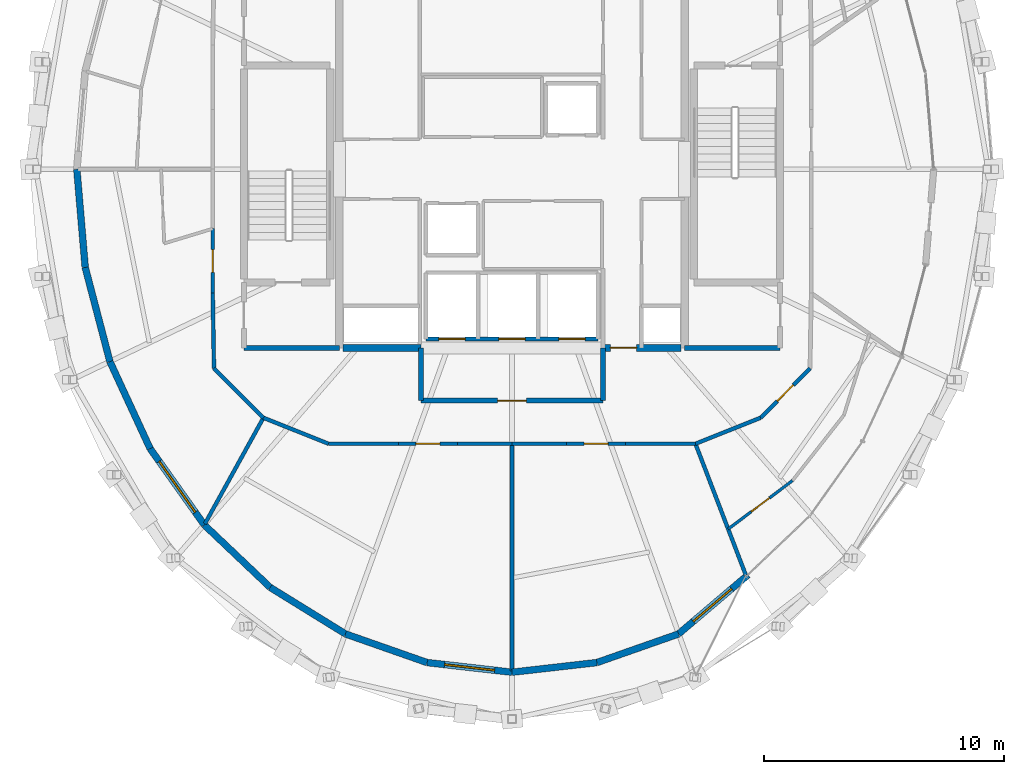
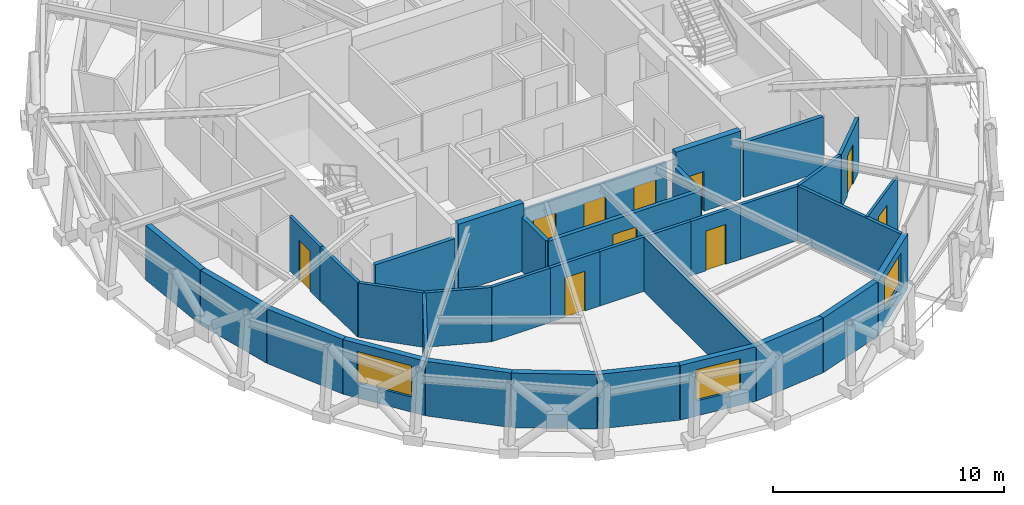
# One storey, part 12 of 17: 35 walls, 10 doors, 3 windows, 13 openings.
"""IFC4 building model written with IfcOpenShell, lengths in metres."""

from ifc_helpers import new_model, si_unit, direction, frame, frame_2d, origin, place, context, subcontext, project, spatial, rectangle, extrude, material, layer, layer_set, type_object, element, fill, save


model = new_model("IFC4")

# Units and contexts
model_context = context("Model", 3, precision=1e-05, world=origin(), true_north=direction((0.0, 1.0)))
body_context = subcontext(model_context, "Body", "Model", "MODEL_VIEW")
ifc_project = project(units=[si_unit("LENGTHUNIT", "METRE"), si_unit("AREAUNIT", "SQUARE_METRE"), si_unit("VOLUMEUNIT", "CUBIC_METRE"), si_unit("PLANEANGLEUNIT", "RADIAN"), si_unit("MASSUNIT", "GRAM", prefix="KILO")], contexts=[model_context])

# Site, building, storey
site_placement = place(None, origin())
site = spatial("IfcSite", under=ifc_project, at=site_placement, CompositionType="ELEMENT")
building_placement = place(site_placement, origin())
building = spatial("IfcBuilding", under=site, at=building_placement, Name="Veldorina Hangang Commons", CompositionType="ELEMENT")
storey_placement = place(building_placement, frame((0.0, 0.0, 286.800048828125)))
storey = spatial("IfcBuildingStorey", under=building, at=storey_placement, Name="L75", CompositionType="ELEMENT", Elevation=286.800048828125)

# Wall
ifc_material_1 = material(Name="Concrete C50/60", Category="concrete")
ifc_layer_1 = layer(ifc_material_1, 0.300048828125)
ifc_layer_set_1 = layer_set([ifc_layer_1], Name="Concrete C50/60")
wall_type_1 = type_object("IfcWallType", Name="CW-RC300-C50", PredefinedType="SHEAR", material=ifc_layer_set_1)
wall_1_placement = place(storey_placement, frame((24.949951171875, 16.550048828125, 0.0), z_axis=(0.0, 0.0, 1.0), x_axis=(1.0, 0.0, 0.0)))
element("IfcWall", 1, at=wall_1_placement, inside=storey, type_object=wall_type_1, Name="L75 south-west core shear wall", PredefinedType="SHEAR", context=body_context, shape_type="SweptSolid", body=[
    extrude(rectangle(XDim=3.25, YDim=0.300048828125, at=frame_2d((1.625, 0.0))), origin(), (0.0, 0.0, 1.0), 3.599853515625),
])

# Wall, opening, door
wall_2_placement = place(storey_placement, frame((35.800048828125, 16.550048828125, 0.0), z_axis=(0.0, 0.0, 1.0), x_axis=(1.0, 0.0, 0.0)))
wall_2 = element("IfcWall", 2, at=wall_2_placement, inside=storey, type_object=wall_type_1, Name="L75 south-east core shear wall", PredefinedType="SHEAR", context=body_context, shape_type="SweptSolid", body=[
    extrude(rectangle(XDim=3.25, YDim=0.300048828125, at=frame_2d((1.625, 0.0))), origin(), (0.0, 0.0, 1.0), 3.599853515625),
])
opening_1_placement = place(wall_2_placement, frame((0.300048828125, 0.0, 0.0)))
opening_1 = element("IfcOpeningElement", 3, at=opening_1_placement, cuts=wall_2, Name="Opening D-08", PredefinedType="OPENING", context=body_context, shape_type="SweptSolid", body=[
    extrude(rectangle(XDim=1.10009765625, YDim=2.10009765625, at=frame_2d((0.550048828125, 1.050048828125))), frame((0.0, 0.16015625, 0.0), z_axis=(0.0, -1.0, 0.0), x_axis=(1.0, 0.0, 0.0)), (0.0, 0.0, 1.0), 0.320068359375),
])
ifc_material_2 = material(Name="Steel Fire-Rated Smoke Seal", Category="steel")
door_type_1 = type_object("IfcDoorType", Name="DR-FIRE-1100", OperationType="SINGLE_SWING_RIGHT", PredefinedType="DOOR", material=ifc_material_2)
door_1_placement = place(opening_1_placement, origin())
door_1 = element("IfcDoor", 4, at=door_1_placement, inside=storey, type_object=door_type_1, Name="L75 central lift lobby south corridor door", OperationType="SINGLE_SWING_RIGHT", OverallHeight=2.10009765625, OverallWidth=1.10009765625, PredefinedType="DOOR", context=body_context, shape_type="SweptSolid", body=[
    extrude(rectangle(XDim=1.10009765625, YDim=2.10009765625, at=frame_2d((0.550048828125, 1.050048828125))), frame((0.0, 0.02490234375, 0.0), z_axis=(0.0, -1.0, 0.0), x_axis=(1.0, 0.0, 0.0)), (0.0, 0.0, 1.0), 0.050048828125),
])
fill(opening_1, door_1)

# Walls
ifc_material_3 = material(Name="Stone Roman Travertine", Category="masonry")
ifc_layer_2 = layer(ifc_material_3, 0.280029296875)
ifc_layer_set_2 = layer_set([ifc_layer_2], Name="Stone Roman Travertine")
wall_type_2 = type_object("IfcWallType", Name="EW-TRAV-280", PredefinedType="STANDARD", material=ifc_layer_set_2)
wall_3_placement = place(storey_placement, frame((13.85400390625, 24.0, 0.0), z_axis=(0.0, 0.0, 1.0), x_axis=(0.084944229557, -0.996385707377, 0.0)))
element("IfcWall", 5, at=wall_3_placement, inside=storey, type_object=wall_type_2, Name="L75 travertine facade wall 16", PredefinedType="STANDARD", context=body_context, shape_type="SweptSolid", body=[
    extrude(rectangle(XDim=4.107177734375, YDim=0.280029296875, at=frame_2d((2.0537109375, 0.0))), origin(), (0.0, 0.0, 1.0), 2.8798828125),
])
wall_4_placement = place(storey_placement, frame((14.202880859375, 19.90771484375, 0.0), z_axis=(0.0, 0.0, 1.0), x_axis=(0.253787245117, -0.967260065451, 0.0)))
element("IfcWall", 6, at=wall_4_placement, inside=storey, type_object=wall_type_2, Name="L75 travertine facade wall 17", PredefinedType="STANDARD", context=body_context, shape_type="SweptSolid", body=[
    extrude(rectangle(XDim=4.068359375, YDim=0.280029296875, at=frame_2d((2.0341796875, 0.0))), origin(), (0.0, 0.0, 1.0), 2.8798828125),
])
wall_5_placement = place(storey_placement, frame((15.2353515625, 15.97265625, 0.0), z_axis=(0.0, 0.0, 1.0), x_axis=(0.41967808517, -0.90767301647, 0.0)))
element("IfcWall", 7, at=wall_5_placement, inside=storey, type_object=wall_type_2, Name="L75 travertine facade wall 18", PredefinedType="STANDARD", context=body_context, shape_type="SweptSolid", body=[
    extrude(rectangle(XDim=3.995361328125, YDim=0.280029296875, at=frame_2d((1.99755859375, 0.0))), origin(), (0.0, 0.0, 1.0), 2.8798828125),
])

# Wall, opening, window
wall_6_placement = place(storey_placement, frame((16.912109375, 12.34619140625, 0.0), z_axis=(0.0, 0.0, 1.0), x_axis=(0.578913591695, -0.815388897, 0.0)))
wall_6 = element("IfcWall", 8, at=wall_6_placement, inside=storey, type_object=wall_type_2, Name="L75 travertine facade wall 19", PredefinedType="STANDARD", context=body_context, shape_type="SweptSolid", body=[
    extrude(rectangle(XDim=3.8984375, YDim=0.280029296875, at=frame_2d((1.94921875, 0.0))), origin(), (0.0, 0.0, 1.0), 2.8798828125),
])
opening_2_placement = place(wall_6_placement, frame((0.649169921875, 0.0, 0.800048828125)))
opening_2 = element("IfcOpeningElement", 9, at=opening_2_placement, cuts=wall_6, Name="Opening W-02", PredefinedType="OPENING", context=body_context, shape_type="SweptSolid", body=[
    extrude(rectangle(XDim=2.60009765625, YDim=1.64990234375, at=frame_2d((1.300048828125, 0.824951171875))), frame((0.0, 0.14990234375, 0.0), z_axis=(0.0, -1.0, 0.0), x_axis=(1.0, 0.0, 0.0)), (0.0, 0.0, 1.0), 0.300048828125),
])
ifc_material_4 = material(Name="Glass Low-E Triple IGU", Category="glass")
window_type_1 = type_object("IfcWindowType", Name="WIN-TWR-2600", PartitioningType="SINGLE_PANEL", PredefinedType="WINDOW", material=ifc_material_4)
window_1_placement = place(opening_2_placement, origin())
window_1 = element("IfcWindow", 10, at=window_1_placement, inside=storey, type_object=window_type_1, Name="L75 facade window 19", OverallHeight=1.64990234375, OverallWidth=2.60009765625, PartitioningType="SINGLE_PANEL", PredefinedType="WINDOW", context=body_context, shape_type="SweptSolid", body=[
    extrude(rectangle(XDim=2.60009765625, YDim=1.64990234375, at=frame_2d((1.300048828125, 0.824951171875))), frame((0.0, 0.030029296875, 0.0), z_axis=(0.0, -1.0, 0.0), x_axis=(1.0, 0.0, 0.0)), (0.0, 0.0, 1.0), 0.06005859375),
])
fill(opening_2, window_1)

# Walls
wall_7_placement = place(storey_placement, frame((19.1689453125, 9.16748046875, 0.0), z_axis=(0.0, 0.0, 1.0), x_axis=(0.725476892889, -0.688246524063, 0.0)))
element("IfcWall", 11, at=wall_7_placement, inside=storey, type_object=wall_type_2, Name="L75 travertine facade wall 20", PredefinedType="STANDARD", context=body_context, shape_type="SweptSolid", body=[
    extrude(rectangle(XDim=3.790283203125, YDim=0.280029296875, at=frame_2d((1.89501953125, 0.0))), origin(), (0.0, 0.0, 1.0), 2.8798828125),
])
wall_8_placement = place(storey_placement, frame((21.918701171875, 6.558837890625, 0.0), z_axis=(0.0, 0.0, 1.0), x_axis=(0.850702223814, -0.525647911057, 0.0)))
element("IfcWall", 12, at=wall_8_placement, inside=storey, type_object=wall_type_2, Name="L75 travertine facade wall 21", PredefinedType="STANDARD", context=body_context, shape_type="SweptSolid", body=[
    extrude(rectangle(XDim=3.687744140625, YDim=0.280029296875, at=frame_2d((1.84375, 0.0))), origin(), (0.0, 0.0, 1.0), 2.8798828125),
])
wall_9_placement = place(storey_placement, frame((25.055908203125, 4.620361328125, 0.0), z_axis=(0.0, 0.0, 1.0), x_axis=(0.94366932977, -0.33089000597, 0.0)))
element("IfcWall", 13, at=wall_9_placement, inside=storey, type_object=wall_type_2, Name="L75 travertine facade wall 22", PredefinedType="STANDARD", context=body_context, shape_type="SweptSolid", body=[
    extrude(rectangle(XDim=3.607177734375, YDim=0.280029296875, at=frame_2d((1.8037109375, 0.0))), origin(), (0.0, 0.0, 1.0), 2.8798828125),
])

# Wall, opening, window
wall_10_placement = place(storey_placement, frame((28.4599609375, 3.4267578125, 0.0), z_axis=(0.0, 0.0, 1.0), x_axis=(0.993580071332, -0.113131082605, 0.0)))
wall_10 = element("IfcWall", 14, at=wall_10_placement, inside=storey, type_object=wall_type_2, Name="L75 travertine facade wall 23", PredefinedType="STANDARD", context=body_context, shape_type="SweptSolid", body=[
    extrude(rectangle(XDim=3.56298828125, YDim=0.280029296875, at=frame_2d((1.781494140625, 0.0))), origin(), (0.0, 0.0, 1.0), 2.8798828125),
])
opening_3_placement = place(wall_10_placement, frame((0.7314453125, 0.0, 0.800048828125)))
opening_3 = element("IfcOpeningElement", 15, at=opening_3_placement, cuts=wall_10, Name="Opening W-03", PredefinedType="OPENING", context=body_context, shape_type="SweptSolid", body=[
    extrude(rectangle(XDim=2.10009765625, YDim=1.64990234375, at=frame_2d((1.050048828125, 0.824951171875))), frame((0.0, 0.14990234375, 0.0), z_axis=(0.0, -1.0, 0.0), x_axis=(1.0, 0.0, 0.0)), (0.0, 0.0, 1.0), 0.300048828125),
])
window_type_2 = type_object("IfcWindowType", Name="WIN-TWR-2100", PartitioningType="SINGLE_PANEL", PredefinedType="WINDOW", material=ifc_material_4)
window_2_placement = place(opening_3_placement, origin())
window_2 = element("IfcWindow", 16, at=window_2_placement, inside=storey, type_object=window_type_2, Name="L75 facade window 23", OverallHeight=1.64990234375, OverallWidth=2.10009765625, PartitioningType="SINGLE_PANEL", PredefinedType="WINDOW", context=body_context, shape_type="SweptSolid", body=[
    extrude(rectangle(XDim=2.10009765625, YDim=1.64990234375, at=frame_2d((1.050048828125, 0.824951171875))), frame((0.0, 0.030029296875, 0.0), z_axis=(0.0, -1.0, 0.0), x_axis=(1.0, 0.0, 0.0)), (0.0, 0.0, 1.0), 0.06005859375),
])
fill(opening_3, window_2)

# Walls
wall_11_placement = place(storey_placement, frame((32.0, 3.023681640625, 0.0), z_axis=(0.0, 0.0, 1.0), x_axis=(0.993580071332, 0.113131082605, 0.0)))
element("IfcWall", 17, at=wall_11_placement, inside=storey, type_object=wall_type_2, Name="L75 travertine facade wall 24", PredefinedType="STANDARD", context=body_context, shape_type="SweptSolid", body=[
    extrude(rectangle(XDim=3.56298828125, YDim=0.280029296875, at=frame_2d((1.781494140625, 0.0))), origin(), (0.0, 0.0, 1.0), 2.8798828125),
])
wall_12_placement = place(storey_placement, frame((35.5400390625, 3.4267578125, 0.0), z_axis=(0.0, 0.0, 1.0), x_axis=(0.94366932977, 0.33089000597, 0.0)))
element("IfcWall", 18, at=wall_12_placement, inside=storey, type_object=wall_type_2, Name="L75 travertine facade wall 25", PredefinedType="STANDARD", context=body_context, shape_type="SweptSolid", body=[
    extrude(rectangle(XDim=3.607177734375, YDim=0.280029296875, at=frame_2d((1.8037109375, 0.0))), origin(), (0.0, 0.0, 1.0), 2.8798828125),
])

# Wall, opening, window
wall_13_placement = place(storey_placement, frame((38.944091796875, 4.620361328125, 0.0), z_axis=(0.0, 0.0, 1.0), x_axis=(0.7617032154, 0.64792608502, 0.0)))
wall_13 = element("IfcWall", 19, at=wall_13_placement, inside=storey, type_object=wall_type_2, Name="L75 travertine facade wall 26", PredefinedType="STANDARD", context=body_context, shape_type="SweptSolid", body=[
    extrude(rectangle(XDim=3.80224609375, YDim=0.280029296875, at=frame_2d((1.901123046875, 0.0))), origin(), (0.0, 0.0, 1.0), 2.8798828125),
])
opening_4_placement = place(wall_13_placement, frame((0.80517578125, 0.0, 0.800048828125)))
opening_4 = element("IfcOpeningElement", 20, at=opening_4_placement, cuts=wall_13, Name="Opening W-03", PredefinedType="OPENING", context=body_context, shape_type="SweptSolid", body=[
    extrude(rectangle(XDim=2.10009765625, YDim=1.64990234375, at=frame_2d((1.050048828125, 0.824951171875))), frame((0.0, 0.14990234375, 0.0), z_axis=(0.0, -1.0, 0.0), x_axis=(1.0, 0.0, 0.0)), (0.0, 0.0, 1.0), 0.300048828125),
])
window_3_placement = place(opening_4_placement, origin())
window_3 = element("IfcWindow", 21, at=window_3_placement, inside=storey, type_object=window_type_2, Name="L75 facade window 26", OverallHeight=1.64990234375, OverallWidth=2.10009765625, PartitioningType="SINGLE_PANEL", PredefinedType="WINDOW", context=body_context, shape_type="SweptSolid", body=[
    extrude(rectangle(XDim=2.10009765625, YDim=1.64990234375, at=frame_2d((1.050048828125, 0.824951171875))), frame((0.0, 0.030029296875, 0.0), z_axis=(0.0, -1.0, 0.0), x_axis=(1.0, 0.0, 0.0)), (0.0, 0.0, 1.0), 0.06005859375),
])
fill(opening_4, window_3)

# Wall, openings, doors
ifc_material_5 = material(Name="Gypsum Fire-Rated Twin Stud Wall", Category="gypsum")
ifc_layer_3 = layer(ifc_material_5, 0.159912109375)
ifc_layer_set_3 = layer_set([ifc_layer_3], Name="Gypsum Fire-Rated Twin Stud Wall")
wall_type_3 = type_object("IfcWallType", Name="WL-FIRE-160", PredefinedType="SOLIDWALL", material=ifc_layer_set_3)
wall_14_placement = place(storey_placement, frame((28.419921875, 16.919921875, 0.0), z_axis=(0.0, 0.0, 1.0), x_axis=(1.0, 0.0, 0.0)))
wall_14 = element("IfcWall", 22, at=wall_14_placement, inside=storey, type_object=wall_type_3, Name="L75 Emergency front shaft wall 023", PredefinedType="SOLIDWALL", context=body_context, shape_type="SweptSolid", body=[
    extrude(rectangle(XDim=7.16015625, YDim=0.159912109375, at=frame_2d((3.580078125, 0.0))), origin(), (0.0, 0.0, 1.0), 2.869873046875),
])
opening_5_placement = place(wall_14_placement, frame((0.530029296875, 0.0, 0.0)))
opening_5 = element("IfcOpeningElement", 23, at=opening_5_placement, cuts=wall_14, Name="Opening LD-03", PredefinedType="OPENING", context=body_context, shape_type="SweptSolid", body=[
    extrude(rectangle(XDim=1.10009765625, YDim=2.14990234375, at=frame_2d((0.550048828125, 1.074951171875))), frame((0.0, 0.08984375, 0.0), z_axis=(0.0, -1.0, 0.0), x_axis=(1.0, 0.0, 0.0)), (0.0, 0.0, 1.0), 0.179931640625),
])
opening_6_placement = place(wall_14_placement, frame((3.030029296875, 0.0, 0.0)))
opening_6 = element("IfcOpeningElement", 24, at=opening_6_placement, cuts=wall_14, Name="Opening LD-03", PredefinedType="OPENING", context=body_context, shape_type="SweptSolid", body=[
    extrude(rectangle(XDim=1.10009765625, YDim=2.14990234375, at=frame_2d((0.550048828125, 1.074951171875))), frame((0.0, 0.08984375, 0.0), z_axis=(0.0, -1.0, 0.0), x_axis=(1.0, 0.0, 0.0)), (0.0, 0.0, 1.0), 0.179931640625),
])
opening_7_placement = place(wall_14_placement, frame((5.530029296875, 0.0, 0.0)))
opening_7 = element("IfcOpeningElement", 25, at=opening_7_placement, cuts=wall_14, Name="Opening LD-03", PredefinedType="OPENING", context=body_context, shape_type="SweptSolid", body=[
    extrude(rectangle(XDim=1.10009765625, YDim=2.14990234375, at=frame_2d((0.550048828125, 1.074951171875))), frame((0.0, 0.08984375, 0.0), z_axis=(0.0, -1.0, 0.0), x_axis=(1.0, 0.0, 0.0)), (0.0, 0.0, 1.0), 0.179931640625),
])
ifc_material_6 = material(Name="Stainless Steel Firefighting Lift Door", Category="steel")
door_type_2 = type_object("IfcDoorType", Name="DR-LIFT-FF1100", OperationType="SLIDING_TO_RIGHT", PredefinedType="DOOR", material=ifc_material_6)
door_2_placement = place(opening_5_placement, origin())
door_2 = element("IfcDoor", 26, at=door_2_placement, inside=storey, type_object=door_type_2, Name="L75 Emergency lift FFL-1 landing door 008", OperationType="SLIDING_TO_RIGHT", OverallHeight=2.14990234375, OverallWidth=1.10009765625, PredefinedType="DOOR", context=body_context, shape_type="SweptSolid", body=[
    extrude(rectangle(XDim=1.10009765625, YDim=2.14990234375, at=frame_2d((0.550048828125, 1.074951171875))), frame((0.0, 0.02490234375, 0.0), z_axis=(0.0, -1.0, 0.0), x_axis=(1.0, 0.0, 0.0)), (0.0, 0.0, 1.0), 0.050048828125),
])
fill(opening_5, door_2)
door_3_placement = place(opening_6_placement, origin())
door_3 = element("IfcDoor", 27, at=door_3_placement, inside=storey, type_object=door_type_2, Name="L75 Emergency lift FFL-2 landing door 009", OperationType="SLIDING_TO_RIGHT", OverallHeight=2.14990234375, OverallWidth=1.10009765625, PredefinedType="DOOR", context=body_context, shape_type="SweptSolid", body=[
    extrude(rectangle(XDim=1.10009765625, YDim=2.14990234375, at=frame_2d((0.550048828125, 1.074951171875))), frame((0.0, 0.02490234375, 0.0), z_axis=(0.0, -1.0, 0.0), x_axis=(1.0, 0.0, 0.0)), (0.0, 0.0, 1.0), 0.050048828125),
])
fill(opening_6, door_3)
door_4_placement = place(opening_7_placement, origin())
door_4 = element("IfcDoor", 28, at=door_4_placement, inside=storey, type_object=door_type_2, Name="L75 Emergency lift EVL-1 landing door 010", OperationType="SLIDING_TO_RIGHT", OverallHeight=2.14990234375, OverallWidth=1.10009765625, PredefinedType="DOOR", context=body_context, shape_type="SweptSolid", body=[
    extrude(rectangle(XDim=1.10009765625, YDim=2.14990234375, at=frame_2d((0.550048828125, 1.074951171875))), frame((0.0, 0.02490234375, 0.0), z_axis=(0.0, -1.0, 0.0), x_axis=(1.0, 0.0, 0.0)), (0.0, 0.0, 1.0), 0.050048828125),
])
fill(opening_7, door_4)

# Wall, opening, door
wall_15_placement = place(storey_placement, frame((19.52001953125, 21.517578125, 0.0), z_axis=(0.0, 0.0, 1.0), x_axis=(0.0, -1.0, 0.0)))
wall_15 = element("IfcWall", 29, at=wall_15_placement, inside=storey, type_object=wall_type_3, Name="L75 Compact collar outer wall 17 067", PredefinedType="SOLIDWALL", context=body_context, shape_type="SweptSolid", body=[
    extrude(rectangle(XDim=2.68701171875, YDim=0.159912109375, at=frame_2d((1.343505859375, 0.0))), origin(), (0.0, 0.0, 1.0), 2.869873046875),
])
opening_8_placement = place(wall_15_placement, frame((0.868408203125, 0.0, 0.0)))
opening_8 = element("IfcOpeningElement", 30, at=opening_8_placement, cuts=wall_15, Name="Opening D-03", PredefinedType="OPENING", context=body_context, shape_type="SweptSolid", body=[
    extrude(rectangle(XDim=0.949951171875, YDim=2.10009765625, at=frame_2d((0.47509765625, 1.050048828125))), frame((0.0, 0.08984375, 0.0), z_axis=(0.0, -1.0, 0.0), x_axis=(1.0, 0.0, 0.0)), (0.0, 0.0, 1.0), 0.179931640625),
])
ifc_material_7 = material(Name="Timber Fire-Rated Entrance Core", Category="wood")
door_type_3 = type_object("IfcDoorType", Name="DR-UNIT-950", OperationType="SINGLE_SWING_RIGHT", PredefinedType="DOOR", material=ifc_material_7)
door_5_placement = place(opening_8_placement, origin())
door_5 = element("IfcDoor", 31, at=door_5_placement, inside=storey, type_object=door_type_3, Name="L75 Studio 5 entrance door 030", OperationType="SINGLE_SWING_RIGHT", OverallHeight=2.10009765625, OverallWidth=0.949951171875, PredefinedType="DOOR", context=body_context, shape_type="SweptSolid", body=[
    extrude(rectangle(XDim=0.949951171875, YDim=2.10009765625, at=frame_2d((0.47509765625, 1.050048828125))), frame((0.0, 0.02490234375, 0.0), z_axis=(0.0, -1.0, 0.0), x_axis=(1.0, 0.0, 0.0)), (0.0, 0.0, 1.0), 0.050048828125),
])
fill(opening_8, door_5)

# Walls
wall_16_placement = place(storey_placement, frame((19.52001953125, 18.83056640625, 0.0), z_axis=(0.0, 0.0, 1.0), x_axis=(0.016981035134, -0.999855811828, 0.0)))
element("IfcWall", 32, at=wall_16_placement, inside=storey, type_object=wall_type_3, Name="L75 Compact collar outer wall 18 068", PredefinedType="SOLIDWALL", context=body_context, shape_type="SweptSolid", body=[
    extrude(rectangle(XDim=3.13427734375, YDim=0.159912109375, at=frame_2d((1.567138671875, 0.0))), origin(), (0.0, 0.0, 1.0), 2.869873046875),
])
wall_17_placement = place(storey_placement, frame((19.5732421875, 15.69677734375, 0.0), z_axis=(0.0, 0.0, 1.0), x_axis=(0.707106781187, -0.707106781187, 0.0)))
element("IfcWall", 33, at=wall_17_placement, inside=storey, type_object=wall_type_3, Name="L75 Compact collar outer wall 19 069", PredefinedType="SOLIDWALL", context=body_context, shape_type="SweptSolid", body=[
    extrude(rectangle(XDim=2.915771484375, YDim=0.159912109375, at=frame_2d((1.4580078125, 0.0))), origin(), (0.0, 0.0, 1.0), 2.869873046875),
])
wall_18_placement = place(storey_placement, frame((21.635009765625, 13.635009765625, 0.0), z_axis=(0.0, 0.0, 1.0), x_axis=(0.92856882165, -0.371160266542, 0.0)))
element("IfcWall", 34, at=wall_18_placement, inside=storey, type_object=wall_type_3, Name="L75 Compact collar outer wall 20 070", PredefinedType="SOLIDWALL", context=body_context, shape_type="SweptSolid", body=[
    extrude(rectangle(XDim=2.923095703125, YDim=0.159912109375, at=frame_2d((1.46142578125, 0.0))), origin(), (0.0, 0.0, 1.0), 2.869873046875),
])
wall_19_placement = place(storey_placement, frame((24.349365234375, 12.550048828125, 0.0), z_axis=(0.0, 0.0, 1.0), x_axis=(1.0, 0.0, 0.0)))
element("IfcWall", 35, at=wall_19_placement, inside=storey, type_object=wall_type_3, Name="L75 Compact collar outer wall 21 071", PredefinedType="SOLIDWALL", context=body_context, shape_type="SweptSolid", body=[
    extrude(rectangle(XDim=2.907958984375, YDim=0.159912109375, at=frame_2d((1.4541015625, 0.0))), origin(), (0.0, 0.0, 1.0), 2.869873046875),
])

# Wall, opening, door
wall_20_placement = place(storey_placement, frame((27.25732421875, 12.550048828125, 0.0), z_axis=(0.0, 0.0, 1.0), x_axis=(1.0, 0.0, 0.0)))
wall_20 = element("IfcWall", 36, at=wall_20_placement, inside=storey, type_object=wall_type_3, Name="L75 Compact collar outer wall 22 072", PredefinedType="SOLIDWALL", context=body_context, shape_type="SweptSolid", body=[
    extrude(rectangle(XDim=2.465087890625, YDim=0.159912109375, at=frame_2d((1.232421875, 0.0))), origin(), (0.0, 0.0, 1.0), 2.869873046875),
])
opening_9_placement = place(wall_20_placement, frame((0.732666015625, 0.0, 0.0)))
opening_9 = element("IfcOpeningElement", 37, at=opening_9_placement, cuts=wall_20, Name="Opening D-05", PredefinedType="OPENING", context=body_context, shape_type="SweptSolid", body=[
    extrude(rectangle(XDim=1.0, YDim=2.10009765625, at=frame_2d((0.5, 1.050048828125))), frame((0.0, 0.08984375, 0.0), z_axis=(0.0, -1.0, 0.0), x_axis=(1.0, 0.0, 0.0)), (0.0, 0.0, 1.0), 0.179931640625),
])
ifc_material_8 = material(Name="Timber Solid Core Acoustic", Category="wood")
door_type_4 = type_object("IfcDoorType", Name="DR-INT-1000", OperationType="SINGLE_SWING_RIGHT", PredefinedType="DOOR", material=ifc_material_8)
door_6_placement = place(opening_9_placement, origin())
door_6 = element("IfcDoor", 38, at=door_6_placement, inside=storey, type_object=door_type_4, Name="L75 Floor Study Room 6 door 031", OperationType="SINGLE_SWING_LEFT", OverallHeight=2.10009765625, OverallWidth=1.0, PredefinedType="DOOR", context=body_context, shape_type="SweptSolid", body=[
    extrude(rectangle(XDim=1.0, YDim=2.10009765625, at=frame_2d((0.5, 1.050048828125))), frame((0.0, 0.02490234375, 0.0), z_axis=(0.0, -1.0, 0.0), x_axis=(1.0, 0.0, 0.0)), (0.0, 0.0, 1.0), 0.050048828125),
])
fill(opening_9, door_6)

# Walls
for number, where, z_axis, x_axis, name in (
    (39, (29.722412109375, 12.550048828125, 0.0), (0.0, 0.0, 1.0), (1.0, 0.0, 0.0), "L75 Compact collar outer wall 23 073"),
    (40, (32.0, 12.550048828125, 0.0), (0.0, 0.0, 1.0), (1.0, 0.0, 0.0), "L75 Compact collar outer wall 24 074"),
):
    element("IfcWall", number, at=place(storey_placement, frame(where, z_axis=z_axis, x_axis=x_axis)), inside=storey, type_object=wall_type_3, Name=name, PredefinedType="SOLIDWALL", context=body_context, shape_type="SweptSolid", body=[
        extrude(rectangle(XDim=2.277587890625, YDim=0.159912109375, at=frame_2d((1.138671875, 0.0))), origin(), (0.0, 0.0, 1.0), 2.869873046875),
    ])

# Wall, opening, door
wall_21_placement = place(storey_placement, frame((34.277587890625, 12.550048828125, 0.0), z_axis=(0.0, 0.0, 1.0), x_axis=(1.0, 0.0, 0.0)))
wall_21 = element("IfcWall", 41, at=wall_21_placement, inside=storey, type_object=wall_type_3, Name="L75 Compact collar outer wall 25 075", PredefinedType="SOLIDWALL", context=body_context, shape_type="SweptSolid", body=[
    extrude(rectangle(XDim=2.465087890625, YDim=0.159912109375, at=frame_2d((1.232421875, 0.0))), origin(), (0.0, 0.0, 1.0), 2.869873046875),
])
opening_10_placement = place(wall_21_placement, frame((0.732666015625, 0.0, 0.0)))
opening_10 = element("IfcOpeningElement", 42, at=opening_10_placement, cuts=wall_21, Name="Opening D-05", PredefinedType="OPENING", context=body_context, shape_type="SweptSolid", body=[
    extrude(rectangle(XDim=1.0, YDim=2.10009765625, at=frame_2d((0.5, 1.050048828125))), frame((0.0, 0.08984375, 0.0), z_axis=(0.0, -1.0, 0.0), x_axis=(1.0, 0.0, 0.0)), (0.0, 0.0, 1.0), 0.179931640625),
])
door_7_placement = place(opening_10_placement, origin())
door_7 = element("IfcDoor", 43, at=door_7_placement, inside=storey, type_object=door_type_4, Name="L75 Seminar Focus Room 7 door 032", OperationType="SINGLE_SWING_RIGHT", OverallHeight=2.10009765625, OverallWidth=1.0, PredefinedType="DOOR", context=body_context, shape_type="SweptSolid", body=[
    extrude(rectangle(XDim=1.0, YDim=2.10009765625, at=frame_2d((0.5, 1.050048828125))), frame((0.0, 0.02490234375, 0.0), z_axis=(0.0, -1.0, 0.0), x_axis=(1.0, 0.0, 0.0)), (0.0, 0.0, 1.0), 0.050048828125),
])
fill(opening_10, door_7)

# Walls
wall_22_placement = place(storey_placement, frame((36.74267578125, 12.550048828125, 0.0), z_axis=(0.0, 0.0, 1.0), x_axis=(1.0, 0.0, 0.0)))
element("IfcWall", 44, at=wall_22_placement, inside=storey, type_object=wall_type_3, Name="L75 Compact collar outer wall 26 076", PredefinedType="SOLIDWALL", context=body_context, shape_type="SweptSolid", body=[
    extrude(rectangle(XDim=2.907958984375, YDim=0.159912109375, at=frame_2d((1.4541015625, 0.0))), origin(), (0.0, 0.0, 1.0), 2.869873046875),
])
wall_23_placement = place(storey_placement, frame((39.650634765625, 12.550048828125, 0.0), z_axis=(0.0, 0.0, 1.0), x_axis=(0.92856882165, 0.371160266542, 0.0)))
element("IfcWall", 45, at=wall_23_placement, inside=storey, type_object=wall_type_3, Name="L75 Compact collar outer wall 27 077", PredefinedType="SOLIDWALL", context=body_context, shape_type="SweptSolid", body=[
    extrude(rectangle(XDim=2.923095703125, YDim=0.159912109375, at=frame_2d((1.46142578125, 0.0))), origin(), (0.0, 0.0, 1.0), 2.869873046875),
])

# Wall, opening, door
wall_24_placement = place(storey_placement, frame((42.364990234375, 13.635009765625, 0.0), z_axis=(0.0, 0.0, 1.0), x_axis=(0.707106781187, 0.707106781187, 0.0)))
wall_24 = element("IfcWall", 46, at=wall_24_placement, inside=storey, type_object=wall_type_3, Name="L75 Compact collar outer wall 28 078", PredefinedType="SOLIDWALL", context=body_context, shape_type="SweptSolid", body=[
    extrude(rectangle(XDim=2.915771484375, YDim=0.159912109375, at=frame_2d((1.4580078125, 0.0))), origin(), (0.0, 0.0, 1.0), 2.869873046875),
])
opening_11_placement = place(wall_24_placement, frame((0.98291015625, 0.0, 0.0)))
opening_11 = element("IfcOpeningElement", 47, at=opening_11_placement, cuts=wall_24, Name="Opening D-02", PredefinedType="OPENING", context=body_context, shape_type="SweptSolid", body=[
    extrude(rectangle(XDim=0.949951171875, YDim=2.10009765625, at=frame_2d((0.47509765625, 1.050048828125))), frame((0.0, 0.08984375, 0.0), z_axis=(0.0, -1.0, 0.0), x_axis=(1.0, 0.0, 0.0)), (0.0, 0.0, 1.0), 0.179931640625),
])
door_type_5 = type_object("IfcDoorType", Name="DR-INT-950", OperationType="SINGLE_SWING_LEFT", PredefinedType="DOOR", material=ifc_material_8)
door_8_placement = place(opening_11_placement, origin())
door_8 = element("IfcDoor", 48, at=door_8_placement, inside=storey, type_object=door_type_5, Name="L75 Linen drying store door 033", OperationType="SINGLE_SWING_LEFT", OverallHeight=2.10009765625, OverallWidth=0.949951171875, PredefinedType="DOOR", context=body_context, shape_type="SweptSolid", body=[
    extrude(rectangle(XDim=0.949951171875, YDim=2.10009765625, at=frame_2d((0.47509765625, 1.050048828125))), frame((0.0, 0.02490234375, 0.0), z_axis=(0.0, -1.0, 0.0), x_axis=(1.0, 0.0, 0.0)), (0.0, 0.0, 1.0), 0.050048828125),
])
fill(opening_11, door_8)

# Walls
wall_25_placement = place(storey_placement, frame((21.635009765625, 13.635009765625, 0.0), z_axis=(0.0, 0.0, 1.0), x_axis=(-0.483253595125, -0.875480418284, 0.0)))
element("IfcWall", 49, at=wall_25_placement, inside=storey, type_object=wall_type_3, Name="L75 Unit party wall 20 102", PredefinedType="SOLIDWALL", context=body_context, shape_type="SweptSolid", body=[
    extrude(rectangle(XDim=5.052978515625, YDim=0.159912109375, at=frame_2d((2.5263671875, 0.0))), origin(), (0.0, 0.0, 1.0), 2.869873046875),
])
wall_26_placement = place(storey_placement, frame((32.0, 12.550048828125, 0.0), z_axis=(0.0, 0.0, 1.0), x_axis=(0.0, -1.0, 0.0)))
element("IfcWall", 50, at=wall_26_placement, inside=storey, type_object=wall_type_3, Name="L75 Unit party wall 24 103", PredefinedType="SOLIDWALL", context=body_context, shape_type="SweptSolid", body=[
    extrude(rectangle(XDim=9.4765625, YDim=0.159912109375, at=frame_2d((4.73828125, 0.0))), origin(), (0.0, 0.0, 1.0), 2.869873046875),
])
wall_27_placement = place(storey_placement, frame((39.650634765625, 12.550048828125, 0.0), z_axis=(0.0, 0.0, 1.0), x_axis=(0.35812583623, -0.933673329074, 0.0)))
element("IfcWall", 51, at=wall_27_placement, inside=storey, type_object=wall_type_3, Name="L75 Unit party wall 27 104", PredefinedType="SOLIDWALL", context=body_context, shape_type="SweptSolid", body=[
    extrude(rectangle(XDim=5.8681640625, YDim=0.159912109375, at=frame_2d((2.93408203125, 0.0))), origin(), (0.0, 0.0, 1.0), 2.869873046875),
])
ifc_material_9 = material(Name="Concrete Blockwork Fire Wall C30/37", Category="masonry")
ifc_layer_4 = layer(ifc_material_9, 0.199951171875)
ifc_layer_set_4 = layer_set([ifc_layer_4], Name="Concrete Blockwork Fire Wall C30/37")
wall_type_4 = type_object("IfcWallType", Name="WL-FIRE-200", PredefinedType="SOLIDWALL", material=ifc_layer_set_4)
for number, where, z_axis, x_axis, name in (
    (52, (20.820068359375, 16.550048828125, 0.0), (0.0, 0.0, 1.0), (1.0, 0.0, 0.0), "L75 West vestibule south wall 002"),
    (53, (39.199951171875, 16.550048828125, 0.0), (0.0, 0.0, 1.0), (1.0, 0.0, 0.0), "L75 SE core room south wall 008"),
):
    element("IfcWall", number, at=place(storey_placement, frame(where, z_axis=z_axis, x_axis=x_axis)), inside=storey, type_object=wall_type_4, Name=name, PredefinedType="SOLIDWALL", context=body_context, shape_type="SweptSolid", body=[
        extrude(rectangle(XDim=3.97998046875, YDim=0.199951171875, at=frame_2d((1.989990234375, 0.0))), origin(), (0.0, 0.0, 1.0), 2.869873046875),
    ])
for number, where, z_axis, x_axis, name in (
    (54, (28.199951171875, 14.35009765625, 0.0), (0.0, 0.0, 1.0), (0.0, 1.0, 0.0), "L75 FF lobby west wall 012"),
    (55, (35.800048828125, 14.35009765625, 0.0), (0.0, 0.0, 1.0), (0.0, 1.0, 0.0), "L75 FF lobby east wall 013"),
):
    element("IfcWall", number, at=place(storey_placement, frame(where, z_axis=z_axis, x_axis=x_axis)), inside=storey, type_object=wall_type_4, Name=name, PredefinedType="SOLIDWALL", context=body_context, shape_type="SweptSolid", body=[
        extrude(rectangle(XDim=2.199951171875, YDim=0.199951171875, at=frame_2d((1.10009765625, 0.0))), origin(), (0.0, 0.0, 1.0), 2.869873046875),
    ])

# Wall, opening, door
wall_28_placement = place(storey_placement, frame((28.199951171875, 14.35009765625, 0.0), z_axis=(0.0, 0.0, 1.0), x_axis=(1.0, 0.0, 0.0)))
wall_28 = element("IfcWall", 56, at=wall_28_placement, inside=storey, type_object=wall_type_4, Name="L75 FF lobby south wall 014", PredefinedType="SOLIDWALL", context=body_context, shape_type="SweptSolid", body=[
    extrude(rectangle(XDim=7.60009765625, YDim=0.199951171875, at=frame_2d((3.800048828125, 0.0))), origin(), (0.0, 0.0, 1.0), 2.869873046875),
])
opening_12_placement = place(wall_28_placement, frame((3.199951171875, 0.0, 0.0)))
opening_12 = element("IfcOpeningElement", 57, at=opening_12_placement, cuts=wall_28, Name="Opening D-09", PredefinedType="OPENING", context=body_context, shape_type="SweptSolid", body=[
    extrude(rectangle(XDim=1.199951171875, YDim=2.10009765625, at=frame_2d((0.60009765625, 1.050048828125))), frame((0.0, 0.10986328125, 0.0), z_axis=(0.0, -1.0, 0.0), x_axis=(1.0, 0.0, 0.0)), (0.0, 0.0, 1.0), 0.219970703125),
])
ifc_material_10 = material(Name="Steel Fire-Rated Corridor Door", Category="steel")
door_type_6 = type_object("IfcDoorType", Name="DR-FIRE-1200", OperationType="SINGLE_SWING_LEFT", PredefinedType="DOOR", material=ifc_material_10)
door_9_placement = place(opening_12_placement, origin())
door_9 = element("IfcDoor", 58, at=door_9_placement, inside=storey, type_object=door_type_6, Name="L75 FF lobby south corridor door 005", OperationType="SINGLE_SWING_LEFT", OverallHeight=2.10009765625, OverallWidth=1.199951171875, PredefinedType="DOOR", context=body_context, shape_type="SweptSolid", body=[
    extrude(rectangle(XDim=1.199951171875, YDim=2.10009765625, at=frame_2d((0.60009765625, 1.050048828125))), frame((0.0, 0.02490234375, 0.0), z_axis=(0.0, -1.0, 0.0), x_axis=(1.0, 0.0, 0.0)), (0.0, 0.0, 1.0), 0.050048828125),
])
fill(opening_12, door_9)

ifc_material_11 = material(Name="Gypsum Acoustic Stud Partition", Category="gypsum")
ifc_layer_5 = layer(ifc_material_11, 0.1201171875)
ifc_layer_set_5 = layer_set([ifc_layer_5], Name="Gypsum Acoustic Stud Partition")
wall_type_5 = type_object("IfcWallType", Name="WL-PART-120", PredefinedType="PARTITIONING", material=ifc_layer_set_5)
wall_29_placement = place(storey_placement, frame((41.014404296875, 8.994384765625, 0.0), z_axis=(0.0, 0.0, 1.0), x_axis=(0.798742125261, 0.601673513904, 0.0)))
wall_29 = element("IfcWall", 59, at=wall_29_placement, inside=storey, type_object=wall_type_5, Name="L75 Laundry split 0 105", PredefinedType="PARTITIONING", context=body_context, shape_type="SweptSolid", body=[
    extrude(rectangle(XDim=3.358642578125, YDim=0.1201171875, at=frame_2d((1.67919921875, 0.0))), origin(), (0.0, 0.0, 1.0), 2.869873046875),
])
opening_13_placement = place(wall_29_placement, frame((1.2041015625, 0.0, 0.0)))
opening_13 = element("IfcOpeningElement", 60, at=opening_13_placement, cuts=wall_29, Name="Opening D-02", PredefinedType="OPENING", context=body_context, shape_type="SweptSolid", body=[
    extrude(rectangle(XDim=0.949951171875, YDim=2.10009765625, at=frame_2d((0.47509765625, 1.050048828125))), frame((0.0, 0.070068359375, 0.0), z_axis=(0.0, -1.0, 0.0), x_axis=(1.0, 0.0, 0.0)), (0.0, 0.0, 1.0), 0.14013671875),
])
door_10_placement = place(opening_13_placement, origin())
door_10 = element("IfcDoor", 61, at=door_10_placement, inside=storey, type_object=door_type_5, Name="L75 Resident laundry inner door 034", OperationType="SINGLE_SWING_RIGHT", OverallHeight=2.10009765625, OverallWidth=0.949951171875, PredefinedType="DOOR", context=body_context, shape_type="SweptSolid", body=[
    extrude(rectangle(XDim=0.949951171875, YDim=2.10009765625, at=frame_2d((0.47509765625, 1.050048828125))), frame((0.0, 0.02490234375, 0.0), z_axis=(0.0, -1.0, 0.0), x_axis=(1.0, 0.0, 0.0)), (0.0, 0.0, 1.0), 0.050048828125),
])
fill(opening_13, door_10)

save(model, "model.ifc")
